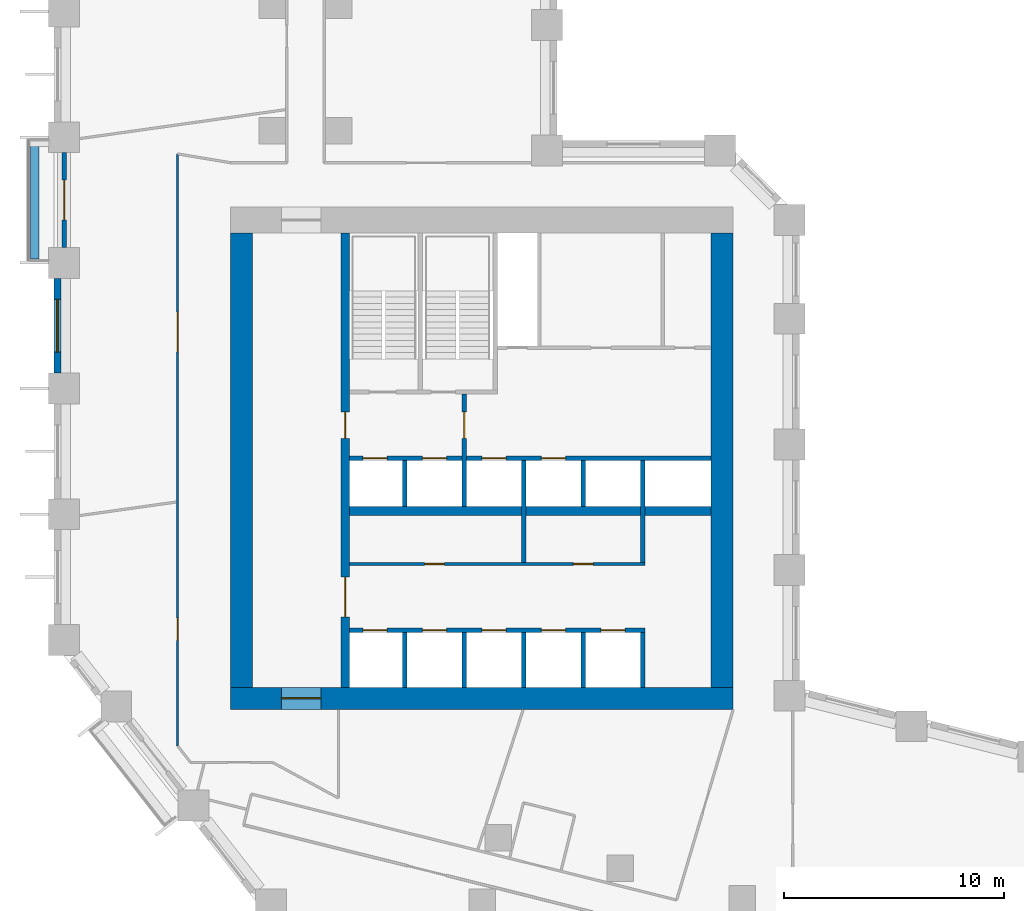
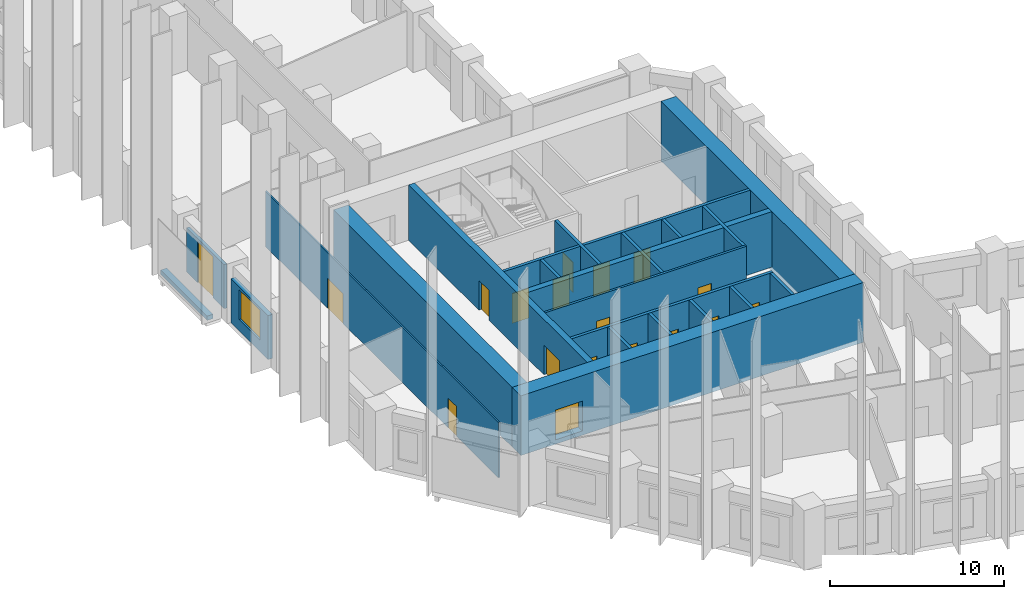
# One storey, part 5 of 12: 22 walls, 18 doors, 1 window, 19 openings.
"""IFC4 building model written with IfcOpenShell, lengths in metres."""

from ifc_helpers import new_model, si_unit, direction, frame, frame_2d, origin, place, context, subcontext, project, spatial, rectangle, extrude, material, layer, layer_set, type_object, element, fill, save


model = new_model("IFC4")

# Units and contexts
model_context = context("Model", 3, precision=1e-05, world=origin(), true_north=direction((0.0, 1.0)))
body_context = subcontext(model_context, "Body", "Model", "MODEL_VIEW")
ifc_project = project(units=[si_unit("LENGTHUNIT", "METRE"), si_unit("AREAUNIT", "SQUARE_METRE"), si_unit("VOLUMEUNIT", "CUBIC_METRE"), si_unit("PLANEANGLEUNIT", "RADIAN"), si_unit("MASSUNIT", "GRAM", prefix="KILO")], contexts=[model_context])

# Site, building, storey
site_placement = place(None, origin())
site = spatial("IfcSite", under=ifc_project, at=site_placement, CompositionType="ELEMENT")
building_placement = place(site_placement, origin())
building = spatial("IfcBuilding", under=site, at=building_placement, Name="Meshkara Civic Tower", CompositionType="ELEMENT")
storey_placement = place(building_placement, frame((0.0, 0.0, 66.60009765625)))
storey = spatial("IfcBuildingStorey", under=building, at=storey_placement, Name="L14", CompositionType="ELEMENT", Elevation=66.60009765625)

# Wall, openings, doors
ifc_material_1 = material(Name="Blockwork", Category="masonry")
ifc_layer_1 = layer(ifc_material_1, 0.14990234375)
ifc_layer_set_1 = layer_set([ifc_layer_1], Name="Core partition 150")
wall_type_1 = type_object("IfcWallType", Name="Core partition 150", PredefinedType="PARTITIONING", material=ifc_layer_set_1)
wall_1_placement = place(storey_placement, frame((13.39990234375, 20.699951171875, 0.0), z_axis=(0.0, 0.0, 1.0), x_axis=(1.0, 0.0, 0.0)))
wall_1 = element("IfcWall", 1, at=wall_1_placement, inside=storey, type_object=wall_type_1, Name="L14-C006", PredefinedType="PARTITIONING", context=body_context, shape_type="SweptSolid", body=[
    extrude(rectangle(XDim=13.400146484375, YDim=0.14990234375, at=frame_2d((6.7001953125, 0.0))), origin(), (0.0, 0.0, 1.0), 3.89990234375),
])
opening_1_placement = place(wall_1_placement, frame((3.39990234375, 0.0, 0.0)))
opening_1 = element("IfcOpeningElement", 2, at=opening_1_placement, cuts=wall_1, Name="Opening L14-K010", PredefinedType="OPENING", context=body_context, shape_type="SweptSolid", body=[
    extrude(rectangle(XDim=0.89990234375, YDim=2.10009765625, at=frame_2d((0.449951171875, 1.050048828125))), frame((0.0, 0.0849609375, 0.0), z_axis=(0.0, -1.0, 0.0), x_axis=(1.0, 0.0, 0.0)), (0.0, 0.0, 1.0), 0.169921875),
])
opening_2_placement = place(wall_1_placement, frame((10.14990234375, 0.0, 0.0)))
opening_2 = element("IfcOpeningElement", 3, at=opening_2_placement, cuts=wall_1, Name="Opening L14-K011", PredefinedType="OPENING", context=body_context, shape_type="SweptSolid", body=[
    extrude(rectangle(XDim=0.89990234375, YDim=2.10009765625, at=frame_2d((0.449951171875, 1.050048828125))), frame((0.0, 0.0849609375, 0.0), z_axis=(0.0, -1.0, 0.0), x_axis=(1.0, 0.0, 0.0)), (0.0, 0.0, 1.0), 0.169921875),
])
ifc_material_2 = material(Name="Timber door leaf in steel frame", Category="steel")
door_type_1 = type_object("IfcDoorType", Name="Core room door 900", OperationType="SINGLE_SWING_LEFT", PredefinedType="DOOR", material=ifc_material_2)
door_1_placement = place(opening_1_placement, origin())
door_1 = element("IfcDoor", 4, at=door_1_placement, inside=storey, type_object=door_type_1, Name="L14-K010", OperationType="SINGLE_SWING_RIGHT", OverallHeight=2.10009765625, OverallWidth=0.89990234375, PredefinedType="DOOR", context=body_context, shape_type="SweptSolid", body=[
    extrude(rectangle(XDim=0.89990234375, YDim=2.10009765625, at=frame_2d((0.449951171875, 1.050048828125))), frame((0.0, 0.02490234375, 0.0), z_axis=(0.0, -1.0, 0.0), x_axis=(1.0, 0.0, 0.0)), (0.0, 0.0, 1.0), 0.050048828125),
])
fill(opening_1, door_1)
door_2_placement = place(opening_2_placement, origin())
door_2 = element("IfcDoor", 5, at=door_2_placement, inside=storey, type_object=door_type_1, Name="L14-K011", OperationType="SINGLE_SWING_RIGHT", OverallHeight=2.10009765625, OverallWidth=0.89990234375, PredefinedType="DOOR", context=body_context, shape_type="SweptSolid", body=[
    extrude(rectangle(XDim=0.89990234375, YDim=2.10009765625, at=frame_2d((0.449951171875, 1.050048828125))), frame((0.0, 0.02490234375, 0.0), z_axis=(0.0, -1.0, 0.0), x_axis=(1.0, 0.0, 0.0)), (0.0, 0.0, 1.0), 0.050048828125),
])
fill(opening_2, door_2)

# Wall, opening, door
ifc_material_3 = material(Name="Concrete C80", Category="concrete")
ifc_layer_2 = layer(ifc_material_3, 1.0)
ifc_layer_set_2 = layer_set([ifc_layer_2], Name="Core ring wall 1000 C80")
wall_type_2 = type_object("IfcWallType", Name="Core ring wall 1000 C80", PredefinedType="SHEAR", material=ifc_layer_set_2)
wall_2_placement = place(storey_placement, frame((8.0, 14.60009765625, -0.300048828125), z_axis=(0.0, 0.0, 1.0), x_axis=(1.0, 0.0, 0.0)))
wall_2 = element("IfcWall", 6, at=wall_2_placement, inside=storey, type_object=wall_type_2, Name="L14-C001", PredefinedType="SHEAR", context=body_context, shape_type="SweptSolid", body=[
    extrude(rectangle(XDim=22.800048828125, YDim=1.0, at=frame_2d((11.39990234375, 0.0))), origin(), (0.0, 0.0, 1.0), 4.199951171875),
])
opening_3_placement = place(wall_2_placement, frame((2.300048828125, 0.0, 0.300048828125)))
opening_3 = element("IfcOpeningElement", 7, at=opening_3_placement, cuts=wall_2, Name="Opening L14-K021", PredefinedType="OPENING", context=body_context, shape_type="SweptSolid", body=[
    extrude(rectangle(XDim=1.800048828125, YDim=2.10009765625, at=frame_2d((0.89990234375, 1.050048828125))), frame((0.0, 0.510009765625, 0.0), z_axis=(0.0, -1.0, 0.0), x_axis=(1.0, 0.0, 0.0)), (0.0, 0.0, 1.0), 1.02001953125),
])
ifc_material_4 = material(Name="Fire-rated door leaf in steel frame", Category="steel")
door_type_2 = type_object("IfcDoorType", Name="Core double door 1800 EI 60", OperationType="DOUBLE_DOOR_SINGLE_SWING", PredefinedType="DOOR", material=ifc_material_4)
door_3_placement = place(opening_3_placement, origin())
door_3 = element("IfcDoor", 8, at=door_3_placement, inside=storey, type_object=door_type_2, Name="L14-K021", OperationType="DOUBLE_DOOR_SINGLE_SWING", OverallHeight=2.10009765625, OverallWidth=1.800048828125, PredefinedType="DOOR", context=body_context, shape_type="SweptSolid", body=[
    extrude(rectangle(XDim=1.800048828125, YDim=2.10009765625, at=frame_2d((0.89990234375, 1.050048828125))), frame((0.0, 0.02490234375, 0.0), z_axis=(0.0, -1.0, 0.0), x_axis=(1.0, 0.0, 0.0)), (0.0, 0.0, 1.0), 0.050048828125),
])
fill(opening_3, door_3)

# Walls
for number, where, z_axis, x_axis, name in (
    (9, (8.5, 15.10009765625, -0.300048828125), (0.0, 0.0, 1.0), (0.0, 1.0, 0.0), "L14-C003"),
    (10, (30.300048828125, 15.10009765625, -0.300048828125), (0.0, 0.0, 1.0), (0.0, 1.0, 0.0), "L14-C004"),
):
    element("IfcWall", number, at=place(storey_placement, frame(where, z_axis=z_axis, x_axis=x_axis)), inside=storey, type_object=wall_type_2, Name=name, PredefinedType="SHEAR", context=body_context, shape_type="SweptSolid", body=[
        extrude(rectangle(XDim=20.599853515625, YDim=1.0, at=frame_2d((10.2998046875, 0.0))), origin(), (0.0, 0.0, 1.0), 4.199951171875),
    ])
ifc_material_5 = material(Name="Concrete C80", Category="concrete")
ifc_layer_3 = layer(ifc_material_5, 0.39990234375)
ifc_layer_set_3 = layer_set([ifc_layer_3], Name="Core shear wall 400 C80")
wall_type_3 = type_object("IfcWallType", Name="Core shear wall 400 C80", PredefinedType="SHEAR", material=ifc_layer_set_3)
wall_3_placement = place(storey_placement, frame((13.39990234375, 23.10009765625, 0.0), z_axis=(0.0, 0.0, 1.0), x_axis=(1.0, 0.0, 0.0)))
element("IfcWall", 11, at=wall_3_placement, inside=storey, type_object=wall_type_3, Name="L14-C007", PredefinedType="SHEAR", context=body_context, shape_type="SweptSolid", body=[
    extrude(rectangle(XDim=16.400146484375, YDim=0.39990234375, at=frame_2d((8.2001953125, 0.0))), origin(), (0.0, 0.0, 1.0), 3.89990234375),
])

# Wall, openings, doors
wall_4_placement = place(storey_placement, frame((13.199951171875, 15.10009765625, 0.0), z_axis=(0.0, 0.0, 1.0), x_axis=(0.0, 1.0, 0.0)))
wall_4 = element("IfcWall", 12, at=wall_4_placement, inside=storey, type_object=wall_type_3, Name="L14-C011", PredefinedType="SHEAR", context=body_context, shape_type="SweptSolid", body=[
    extrude(rectangle(XDim=20.599853515625, YDim=0.39990234375, at=frame_2d((10.2998046875, 0.0))), origin(), (0.0, 0.0, 1.0), 3.89990234375),
])
opening_4_placement = place(wall_4_placement, frame((3.199951171875, 0.0, 0.0)))
opening_4 = element("IfcOpeningElement", 13, at=opening_4_placement, cuts=wall_4, Name="Opening L14-K017", PredefinedType="OPENING", context=body_context, shape_type="SweptSolid", body=[
    extrude(rectangle(XDim=1.800048828125, YDim=2.10009765625, at=frame_2d((0.89990234375, 1.050048828125))), frame((0.0, 0.2099609375, 0.0), z_axis=(0.0, -1.0, 0.0), x_axis=(1.0, 0.0, 0.0)), (0.0, 0.0, 1.0), 0.419921875),
])
opening_5_placement = place(wall_4_placement, frame((11.300048828125, 0.0, 0.0)))
opening_5 = element("IfcOpeningElement", 14, at=opening_5_placement, cuts=wall_4, Name="Opening L14-K018", PredefinedType="OPENING", context=body_context, shape_type="SweptSolid", body=[
    extrude(rectangle(XDim=1.199951171875, YDim=2.10009765625, at=frame_2d((0.60009765625, 1.050048828125))), frame((0.0, 0.2099609375, 0.0), z_axis=(0.0, -1.0, 0.0), x_axis=(1.0, 0.0, 0.0)), (0.0, 0.0, 1.0), 0.419921875),
])
door_4_placement = place(opening_4_placement, origin())
door_4 = element("IfcDoor", 15, at=door_4_placement, inside=storey, type_object=door_type_2, Name="L14-K017", OperationType="DOUBLE_DOOR_SINGLE_SWING", OverallHeight=2.10009765625, OverallWidth=1.800048828125, PredefinedType="DOOR", context=body_context, shape_type="SweptSolid", body=[
    extrude(rectangle(XDim=1.800048828125, YDim=2.10009765625, at=frame_2d((0.89990234375, 1.050048828125))), frame((0.0, 0.02490234375, 0.0), z_axis=(0.0, -1.0, 0.0), x_axis=(1.0, 0.0, 0.0)), (0.0, 0.0, 1.0), 0.050048828125),
])
fill(opening_4, door_4)
ifc_material_6 = material(Name="Fire-rated door leaf in steel frame", Category="steel")
door_type_3 = type_object("IfcDoorType", Name="Fire-fighting lobby door 1200 EI 120", OperationType="SINGLE_SWING_LEFT", PredefinedType="DOOR", material=ifc_material_6)
door_5_placement = place(opening_5_placement, origin())
door_5 = element("IfcDoor", 16, at=door_5_placement, inside=storey, type_object=door_type_3, Name="L14-K018", OperationType="SINGLE_SWING_LEFT", OverallHeight=2.10009765625, OverallWidth=1.199951171875, PredefinedType="DOOR", context=body_context, shape_type="SweptSolid", body=[
    extrude(rectangle(XDim=1.199951171875, YDim=2.10009765625, at=frame_2d((0.60009765625, 1.050048828125))), frame((0.0, 0.02490234375, 0.0), z_axis=(0.0, -1.0, 0.0), x_axis=(1.0, 0.0, 0.0)), (0.0, 0.0, 1.0), 0.050048828125),
])
fill(opening_5, door_5)

ifc_material_7 = material(Name="Corridor wall 100")
ifc_layer_4 = layer(ifc_material_7, 0.10009765625)
ifc_layer_set_4 = layer_set([ifc_layer_4], Name="Corridor wall 100")
wall_type_4 = type_object("IfcWallType", Name="Corridor wall 100", PredefinedType="PARTITIONING", material=ifc_layer_set_4)
wall_5_placement = place(storey_placement, frame((5.60009765625, 39.300048828125, 0.0), z_axis=(0.0, 0.0, 1.0), x_axis=(0.0, -1.0, 0.0)))
wall_5 = element("IfcWall", 17, at=wall_5_placement, inside=storey, type_object=wall_type_4, Name="L14-W004", PredefinedType="PARTITIONING", context=body_context, shape_type="SweptSolid", body=[
    extrude(rectangle(XDim=26.85107421875, YDim=0.10009765625, at=frame_2d((13.425537109375, 0.0))), origin(), (0.0, 0.0, 1.0), 3.89990234375),
])
opening_6_placement = place(wall_5_placement, frame((21.06298828125, 0.0, 0.0)))
opening_6 = element("IfcOpeningElement", 18, at=opening_6_placement, cuts=wall_5, Name="Opening L14-D017", PredefinedType="OPENING", context=body_context, shape_type="SweptSolid", body=[
    extrude(rectangle(XDim=1.0, YDim=2.10009765625, at=frame_2d((0.5, 1.050048828125))), frame((0.0, 0.06005859375, 0.0), z_axis=(0.0, -1.0, 0.0), x_axis=(1.0, 0.0, 0.0)), (0.0, 0.0, 1.0), 0.1201171875),
])
opening_7_placement = place(wall_5_placement, frame((7.179931640625, 0.0, 0.0)))
opening_7 = element("IfcOpeningElement", 19, at=opening_7_placement, cuts=wall_5, Name="Opening L14-D018", PredefinedType="OPENING", context=body_context, shape_type="SweptSolid", body=[
    extrude(rectangle(XDim=1.800048828125, YDim=2.10009765625, at=frame_2d((0.89990234375, 1.050048828125))), frame((0.0, 0.06005859375, 0.0), z_axis=(0.0, -1.0, 0.0), x_axis=(1.0, 0.0, 0.0)), (0.0, 0.0, 1.0), 0.1201171875),
])
ifc_material_8 = material(Name="Door 1000 x 2100")
door_type_4 = type_object("IfcDoorType", Name="Door 1000 x 2100", OperationType="SINGLE_SWING_LEFT", PredefinedType="DOOR", material=ifc_material_8)
door_6_placement = place(opening_6_placement, origin())
door_6 = element("IfcDoor", 20, at=door_6_placement, inside=storey, type_object=door_type_4, Name="L14-D017", OperationType="SINGLE_SWING_LEFT", OverallHeight=2.10009765625, OverallWidth=1.0, PredefinedType="DOOR", context=body_context, shape_type="SweptSolid", body=[
    extrude(rectangle(XDim=1.0, YDim=2.10009765625, at=frame_2d((0.5, 1.050048828125))), frame((0.0, 0.02490234375, 0.0), z_axis=(0.0, -1.0, 0.0), x_axis=(1.0, 0.0, 0.0)), (0.0, 0.0, 1.0), 0.050048828125),
])
fill(opening_6, door_6)
ifc_material_9 = material(Name="Door pair 1800 x 2100")
door_type_5 = type_object("IfcDoorType", Name="Door pair 1800 x 2100", OperationType="SINGLE_SWING_LEFT", PredefinedType="DOOR", material=ifc_material_9)
door_7_placement = place(opening_7_placement, origin())
door_7 = element("IfcDoor", 21, at=door_7_placement, inside=storey, type_object=door_type_5, Name="L14-D018", OperationType="DOUBLE_DOOR_SINGLE_SWING", OverallHeight=2.10009765625, OverallWidth=1.800048828125, PredefinedType="DOOR", context=body_context, shape_type="SweptSolid", body=[
    extrude(rectangle(XDim=1.800048828125, YDim=2.10009765625, at=frame_2d((0.89990234375, 1.050048828125))), frame((0.0, 0.02490234375, 0.0), z_axis=(0.0, -1.0, 0.0), x_axis=(1.0, 0.0, 0.0)), (0.0, 0.0, 1.0), 0.050048828125),
])
fill(opening_7, door_7)

# Wall, opening, window
ifc_material_10 = material(Name="Insulated infill panel with bronze anodised aluminium cladding", Category="aluminium")
ifc_layer_5 = layer(ifc_material_10, 0.300048828125)
ifc_layer_set_5 = layer_set([ifc_layer_5], Name="EXTERNAL INFILL WALL 300")
wall_type_5 = type_object("IfcWallType", Name="EXTERNAL INFILL WALL 300", PredefinedType="SOLIDWALL", material=ifc_layer_set_5)
wall_6_placement = place(storey_placement, frame((0.14990234375, 33.655029296875, 0.0), z_axis=(0.0, 0.0, 1.0), x_axis=(0.0, -1.0, 0.0)))
wall_6 = element("IfcWall", 22, at=wall_6_placement, inside=storey, type_object=wall_type_5, Name="External wall", PredefinedType="SOLIDWALL", context=body_context, shape_type="SweptSolid", body=[
    extrude(rectangle(XDim=4.300048828125, YDim=0.300048828125, at=frame_2d((2.14990234375, 0.0))), origin(), (0.0, 0.0, 1.0), 3.099853515625),
])
opening_8_placement = place(wall_6_placement, frame((0.949951171875, 0.0, 0.800048828125)))
opening_8 = element("IfcOpeningElement", 23, at=opening_8_placement, cuts=wall_6, Name="Opening W7", PredefinedType="OPENING", context=body_context, shape_type="SweptSolid", body=[
    extrude(rectangle(XDim=2.39990234375, YDim=2.10009765625, at=frame_2d((1.199951171875, 1.050048828125))), frame((0.0, 0.159912109375, 0.0), z_axis=(0.0, -1.0, 0.0), x_axis=(1.0, 0.0, 0.0)), (0.0, 0.0, 1.0), 0.320068359375),
])
ifc_material_11 = material(Name="Tinted double glazing", Category="glass")
window_type = type_object("IfcWindowType", Name="WINDOW 2400x2100", PartitioningType="DOUBLE_PANEL_VERTICAL", PredefinedType="WINDOW", material=ifc_material_11)
window_placement = place(opening_8_placement, origin())
window = element("IfcWindow", 24, at=window_placement, inside=storey, type_object=window_type, Name="Window", OverallHeight=2.10009765625, OverallWidth=2.39990234375, PartitioningType="DOUBLE_PANEL_VERTICAL", PredefinedType="WINDOW", context=body_context, shape_type="SweptSolid", body=[
    extrude(rectangle(XDim=2.39990234375, YDim=2.10009765625, at=frame_2d((1.199951171875, 1.050048828125))), frame((0.0, 0.030029296875, 0.0), z_axis=(0.0, -1.0, 0.0), x_axis=(1.0, 0.0, 0.0)), (0.0, 0.0, 1.0), 0.06005859375),
])
fill(opening_8, window)

# Wall, opening, door
ifc_material_12 = material(Name="Insulated infill panel with bronze anodised aluminium cladding", Category="aluminium")
ifc_layer_6 = layer(ifc_material_12, 0.199951171875)
ifc_layer_set_6 = layer_set([ifc_layer_6], Name="LOGGIA BACK WALL 200")
wall_type_6 = type_object("IfcWallType", Name="LOGGIA BACK WALL 200", PredefinedType="SOLIDWALL", material=ifc_layer_set_6)
wall_7_placement = place(storey_placement, frame((0.449951171875, 39.35400390625, 0.0), z_axis=(0.0, 0.0, 1.0), x_axis=(0.0, -1.0, 0.0)))
wall_7 = element("IfcWall", 25, at=wall_7_placement, inside=storey, type_object=wall_type_6, Name="Loggia wall", PredefinedType="SOLIDWALL", context=body_context, shape_type="SweptSolid", body=[
    extrude(rectangle(XDim=4.298095703125, YDim=0.199951171875, at=frame_2d((2.14892578125, 0.0))), origin(), (0.0, 0.0, 1.0), 3.099853515625),
])
opening_9_placement = place(wall_7_placement, frame((1.2490234375, 0.0, 0.0)))
opening_9 = element("IfcOpeningElement", 26, at=opening_9_placement, cuts=wall_7, Name="Opening L14-L002", PredefinedType="OPENING", context=body_context, shape_type="SweptSolid", body=[
    extrude(rectangle(XDim=1.800048828125, YDim=2.89990234375, at=frame_2d((0.89990234375, 1.449951171875))), frame((0.0, 0.10986328125, 0.0), z_axis=(0.0, -1.0, 0.0), x_axis=(1.0, 0.0, 0.0)), (0.0, 0.0, 1.0), 0.219970703125),
])
ifc_material_13 = material(Name="Tinted double glazing", Category="glass")
door_type_6 = type_object("IfcDoorType", Name="LOGGIA DOOR 1800x2900", OperationType="DOUBLE_DOOR_SINGLE_SWING", PredefinedType="DOOR", material=ifc_material_13)
door_8_placement = place(opening_9_placement, origin())
door_8 = element("IfcDoor", 27, at=door_8_placement, inside=storey, type_object=door_type_6, Name="L14-L002", OperationType="DOUBLE_DOOR_SINGLE_SWING", OverallHeight=2.89990234375, OverallWidth=1.800048828125, PredefinedType="DOOR", context=body_context, shape_type="SweptSolid", body=[
    extrude(rectangle(XDim=1.800048828125, YDim=2.89990234375, at=frame_2d((0.89990234375, 1.449951171875))), frame((0.0, 0.02490234375, 0.0), z_axis=(0.0, -1.0, 0.0), x_axis=(1.0, 0.0, 0.0)), (0.0, 0.0, 1.0), 0.050048828125),
])
fill(opening_9, door_8)

# Wall
ifc_material_14 = material(Name="Concrete C40", Category="concrete")
ifc_layer_7 = layer(ifc_material_14, 0.39990234375)
ifc_layer_set_7 = layer_set([ifc_layer_7], Name="PLANTER TRAY")
wall_type_7 = type_object("IfcWallType", Name="PLANTER TRAY", PredefinedType="SOLIDWALL", material=ifc_layer_set_7)
wall_8_placement = place(storey_placement, frame((-0.8798828125, 39.885009765625, 0.0), z_axis=(0.0, 0.0, 1.0), x_axis=(0.0, -1.0, 0.0)))
element("IfcWall", 28, at=wall_8_placement, inside=storey, type_object=wall_type_7, Name="Planter", PredefinedType="SOLIDWALL", context=body_context, shape_type="SweptSolid", body=[
    extrude(rectangle(XDim=5.360107421875, YDim=0.39990234375, at=frame_2d((2.68017578125, 0.0))), origin(), (0.0, 0.0, 1.0), 0.2998046875),
])

# Wall, openings, doors
ifc_material_15 = material(Name="Concrete C40/50", Category="concrete")
ifc_layer_8 = layer(ifc_material_15, 0.199951171875)
ifc_layer_set_8 = layer_set([ifc_layer_8], Name="Shaft wall 200 C40/50")
wall_type_8 = type_object("IfcWallType", Name="Shaft wall 200 C40/50", PredefinedType="SOLIDWALL", material=ifc_layer_set_8)
wall_9_placement = place(storey_placement, frame((13.39990234375, 17.699951171875, 0.0), z_axis=(0.0, 0.0, 1.0), x_axis=(1.0, 0.0, 0.0)))
wall_9 = element("IfcWall", 29, at=wall_9_placement, inside=storey, type_object=wall_type_8, Name="L14-C005", PredefinedType="SOLIDWALL", context=body_context, shape_type="SweptSolid", body=[
    extrude(rectangle(XDim=13.400146484375, YDim=0.199951171875, at=frame_2d((6.7001953125, 0.0))), origin(), (0.0, 0.0, 1.0), 3.89990234375),
])
opening_10_placement = place(wall_9_placement, frame((0.60009765625, 0.0, 0.0)))
opening_10 = element("IfcOpeningElement", 30, at=opening_10_placement, cuts=wall_9, Name="Opening L14-K001", PredefinedType="OPENING", context=body_context, shape_type="SweptSolid", body=[
    extrude(rectangle(XDim=1.10009765625, YDim=2.10009765625, at=frame_2d((0.550048828125, 1.050048828125))), frame((0.0, 0.10986328125, 0.0), z_axis=(0.0, -1.0, 0.0), x_axis=(1.0, 0.0, 0.0)), (0.0, 0.0, 1.0), 0.219970703125),
])
opening_11_placement = place(wall_9_placement, frame((3.300048828125, 0.0, 0.0)))
opening_11 = element("IfcOpeningElement", 31, at=opening_11_placement, cuts=wall_9, Name="Opening L14-K002", PredefinedType="OPENING", context=body_context, shape_type="SweptSolid", body=[
    extrude(rectangle(XDim=1.10009765625, YDim=2.10009765625, at=frame_2d((0.550048828125, 1.050048828125))), frame((0.0, 0.10986328125, 0.0), z_axis=(0.0, -1.0, 0.0), x_axis=(1.0, 0.0, 0.0)), (0.0, 0.0, 1.0), 0.219970703125),
])
opening_12_placement = place(wall_9_placement, frame((6.0, 0.0, 0.0)))
opening_12 = element("IfcOpeningElement", 32, at=opening_12_placement, cuts=wall_9, Name="Opening L14-K003", PredefinedType="OPENING", context=body_context, shape_type="SweptSolid", body=[
    extrude(rectangle(XDim=1.10009765625, YDim=2.10009765625, at=frame_2d((0.550048828125, 1.050048828125))), frame((0.0, 0.10986328125, 0.0), z_axis=(0.0, -1.0, 0.0), x_axis=(1.0, 0.0, 0.0)), (0.0, 0.0, 1.0), 0.219970703125),
])
opening_13_placement = place(wall_9_placement, frame((8.699951171875, 0.0, 0.0)))
opening_13 = element("IfcOpeningElement", 33, at=opening_13_placement, cuts=wall_9, Name="Opening L14-K004", PredefinedType="OPENING", context=body_context, shape_type="SweptSolid", body=[
    extrude(rectangle(XDim=1.10009765625, YDim=2.10009765625, at=frame_2d((0.550048828125, 1.050048828125))), frame((0.0, 0.10986328125, 0.0), z_axis=(0.0, -1.0, 0.0), x_axis=(1.0, 0.0, 0.0)), (0.0, 0.0, 1.0), 0.219970703125),
])
opening_14_placement = place(wall_9_placement, frame((11.39990234375, 0.0, 0.0)))
opening_14 = element("IfcOpeningElement", 34, at=opening_14_placement, cuts=wall_9, Name="Opening L14-K005", PredefinedType="OPENING", context=body_context, shape_type="SweptSolid", body=[
    extrude(rectangle(XDim=1.10009765625, YDim=2.10009765625, at=frame_2d((0.550048828125, 1.050048828125))), frame((0.0, 0.10986328125, 0.0), z_axis=(0.0, -1.0, 0.0), x_axis=(1.0, 0.0, 0.0)), (0.0, 0.0, 1.0), 0.219970703125),
])
ifc_material_16 = material(Name="Stainless steel landing door", Category="steel")
door_type_7 = type_object("IfcDoorType", Name="Lift landing door 1100", OperationType="SLIDING_TO_LEFT", PredefinedType="DOOR", material=ifc_material_16)
door_9_placement = place(opening_10_placement, origin())
door_9 = element("IfcDoor", 35, at=door_9_placement, inside=storey, type_object=door_type_7, Name="L14-K001", OperationType="SLIDING_TO_LEFT", OverallHeight=2.10009765625, OverallWidth=1.10009765625, PredefinedType="DOOR", context=body_context, shape_type="SweptSolid", body=[
    extrude(rectangle(XDim=1.10009765625, YDim=2.10009765625, at=frame_2d((0.550048828125, 1.050048828125))), frame((0.0, 0.02490234375, 0.0), z_axis=(0.0, -1.0, 0.0), x_axis=(1.0, 0.0, 0.0)), (0.0, 0.0, 1.0), 0.050048828125),
])
fill(opening_10, door_9)
door_10_placement = place(opening_11_placement, origin())
door_10 = element("IfcDoor", 36, at=door_10_placement, inside=storey, type_object=door_type_7, Name="L14-K002", OperationType="SLIDING_TO_LEFT", OverallHeight=2.10009765625, OverallWidth=1.10009765625, PredefinedType="DOOR", context=body_context, shape_type="SweptSolid", body=[
    extrude(rectangle(XDim=1.10009765625, YDim=2.10009765625, at=frame_2d((0.550048828125, 1.050048828125))), frame((0.0, 0.02490234375, 0.0), z_axis=(0.0, -1.0, 0.0), x_axis=(1.0, 0.0, 0.0)), (0.0, 0.0, 1.0), 0.050048828125),
])
fill(opening_11, door_10)
door_11_placement = place(opening_12_placement, origin())
door_11 = element("IfcDoor", 37, at=door_11_placement, inside=storey, type_object=door_type_7, Name="L14-K003", OperationType="SLIDING_TO_LEFT", OverallHeight=2.10009765625, OverallWidth=1.10009765625, PredefinedType="DOOR", context=body_context, shape_type="SweptSolid", body=[
    extrude(rectangle(XDim=1.10009765625, YDim=2.10009765625, at=frame_2d((0.550048828125, 1.050048828125))), frame((0.0, 0.02490234375, 0.0), z_axis=(0.0, -1.0, 0.0), x_axis=(1.0, 0.0, 0.0)), (0.0, 0.0, 1.0), 0.050048828125),
])
fill(opening_12, door_11)
door_12_placement = place(opening_13_placement, origin())
door_12 = element("IfcDoor", 38, at=door_12_placement, inside=storey, type_object=door_type_7, Name="L14-K004", OperationType="SLIDING_TO_LEFT", OverallHeight=2.10009765625, OverallWidth=1.10009765625, PredefinedType="DOOR", context=body_context, shape_type="SweptSolid", body=[
    extrude(rectangle(XDim=1.10009765625, YDim=2.10009765625, at=frame_2d((0.550048828125, 1.050048828125))), frame((0.0, 0.02490234375, 0.0), z_axis=(0.0, -1.0, 0.0), x_axis=(1.0, 0.0, 0.0)), (0.0, 0.0, 1.0), 0.050048828125),
])
fill(opening_13, door_12)
door_13_placement = place(opening_14_placement, origin())
door_13 = element("IfcDoor", 39, at=door_13_placement, inside=storey, type_object=door_type_7, Name="L14-K005", OperationType="SLIDING_TO_LEFT", OverallHeight=2.10009765625, OverallWidth=1.10009765625, PredefinedType="DOOR", context=body_context, shape_type="SweptSolid", body=[
    extrude(rectangle(XDim=1.10009765625, YDim=2.10009765625, at=frame_2d((0.550048828125, 1.050048828125))), frame((0.0, 0.02490234375, 0.0), z_axis=(0.0, -1.0, 0.0), x_axis=(1.0, 0.0, 0.0)), (0.0, 0.0, 1.0), 0.050048828125),
])
fill(opening_14, door_13)

wall_10_placement = place(storey_placement, frame((13.39990234375, 25.5, 0.0), z_axis=(0.0, 0.0, 1.0), x_axis=(1.0, 0.0, 0.0)))
wall_10 = element("IfcWall", 40, at=wall_10_placement, inside=storey, type_object=wall_type_8, Name="L14-C008", PredefinedType="SOLIDWALL", context=body_context, shape_type="SweptSolid", body=[
    extrude(rectangle(XDim=16.400146484375, YDim=0.199951171875, at=frame_2d((8.2001953125, 0.0))), origin(), (0.0, 0.0, 1.0), 3.89990234375),
])
opening_15_placement = place(wall_10_placement, frame((0.60009765625, 0.0, 0.0)))
opening_15 = element("IfcOpeningElement", 41, at=opening_15_placement, cuts=wall_10, Name="Opening L14-K006", PredefinedType="OPENING", context=body_context, shape_type="SweptSolid", body=[
    extrude(rectangle(XDim=1.10009765625, YDim=2.10009765625, at=frame_2d((0.550048828125, 1.050048828125))), frame((0.0, 0.10986328125, 0.0), z_axis=(0.0, -1.0, 0.0), x_axis=(1.0, 0.0, 0.0)), (0.0, 0.0, 1.0), 0.219970703125),
])
opening_16_placement = place(wall_10_placement, frame((3.300048828125, 0.0, 0.0)))
opening_16 = element("IfcOpeningElement", 42, at=opening_16_placement, cuts=wall_10, Name="Opening L14-K007", PredefinedType="OPENING", context=body_context, shape_type="SweptSolid", body=[
    extrude(rectangle(XDim=1.10009765625, YDim=2.10009765625, at=frame_2d((0.550048828125, 1.050048828125))), frame((0.0, 0.10986328125, 0.0), z_axis=(0.0, -1.0, 0.0), x_axis=(1.0, 0.0, 0.0)), (0.0, 0.0, 1.0), 0.219970703125),
])
opening_17_placement = place(wall_10_placement, frame((6.0, 0.0, 0.0)))
opening_17 = element("IfcOpeningElement", 43, at=opening_17_placement, cuts=wall_10, Name="Opening L14-K008", PredefinedType="OPENING", context=body_context, shape_type="SweptSolid", body=[
    extrude(rectangle(XDim=1.10009765625, YDim=2.10009765625, at=frame_2d((0.550048828125, 1.050048828125))), frame((0.0, 0.10986328125, 0.0), z_axis=(0.0, -1.0, 0.0), x_axis=(1.0, 0.0, 0.0)), (0.0, 0.0, 1.0), 0.219970703125),
])
opening_18_placement = place(wall_10_placement, frame((8.699951171875, 0.0, 0.0)))
opening_18 = element("IfcOpeningElement", 44, at=opening_18_placement, cuts=wall_10, Name="Opening L14-K009", PredefinedType="OPENING", context=body_context, shape_type="SweptSolid", body=[
    extrude(rectangle(XDim=1.10009765625, YDim=2.10009765625, at=frame_2d((0.550048828125, 1.050048828125))), frame((0.0, 0.10986328125, 0.0), z_axis=(0.0, -1.0, 0.0), x_axis=(1.0, 0.0, 0.0)), (0.0, 0.0, 1.0), 0.219970703125),
])
door_14_placement = place(opening_15_placement, origin())
door_14 = element("IfcDoor", 45, at=door_14_placement, inside=storey, type_object=door_type_7, Name="L14-K006", OperationType="SLIDING_TO_LEFT", OverallHeight=2.10009765625, OverallWidth=1.10009765625, PredefinedType="DOOR", context=body_context, shape_type="SweptSolid", body=[
    extrude(rectangle(XDim=1.10009765625, YDim=2.10009765625, at=frame_2d((0.550048828125, 1.050048828125))), frame((0.0, 0.02490234375, 0.0), z_axis=(0.0, -1.0, 0.0), x_axis=(1.0, 0.0, 0.0)), (0.0, 0.0, 1.0), 0.050048828125),
])
fill(opening_15, door_14)
door_15_placement = place(opening_16_placement, origin())
door_15 = element("IfcDoor", 46, at=door_15_placement, inside=storey, type_object=door_type_7, Name="L14-K007", OperationType="SLIDING_TO_LEFT", OverallHeight=2.10009765625, OverallWidth=1.10009765625, PredefinedType="DOOR", context=body_context, shape_type="SweptSolid", body=[
    extrude(rectangle(XDim=1.10009765625, YDim=2.10009765625, at=frame_2d((0.550048828125, 1.050048828125))), frame((0.0, 0.02490234375, 0.0), z_axis=(0.0, -1.0, 0.0), x_axis=(1.0, 0.0, 0.0)), (0.0, 0.0, 1.0), 0.050048828125),
])
fill(opening_16, door_15)
door_16_placement = place(opening_17_placement, origin())
door_16 = element("IfcDoor", 47, at=door_16_placement, inside=storey, type_object=door_type_7, Name="L14-K008", OperationType="SLIDING_TO_LEFT", OverallHeight=2.10009765625, OverallWidth=1.10009765625, PredefinedType="DOOR", context=body_context, shape_type="SweptSolid", body=[
    extrude(rectangle(XDim=1.10009765625, YDim=2.10009765625, at=frame_2d((0.550048828125, 1.050048828125))), frame((0.0, 0.02490234375, 0.0), z_axis=(0.0, -1.0, 0.0), x_axis=(1.0, 0.0, 0.0)), (0.0, 0.0, 1.0), 0.050048828125),
])
fill(opening_17, door_16)
door_17_placement = place(opening_18_placement, origin())
door_17 = element("IfcDoor", 48, at=door_17_placement, inside=storey, type_object=door_type_7, Name="L14-K009", OperationType="SLIDING_TO_LEFT", OverallHeight=2.10009765625, OverallWidth=1.10009765625, PredefinedType="DOOR", context=body_context, shape_type="SweptSolid", body=[
    extrude(rectangle(XDim=1.10009765625, YDim=2.10009765625, at=frame_2d((0.550048828125, 1.050048828125))), frame((0.0, 0.02490234375, 0.0), z_axis=(0.0, -1.0, 0.0), x_axis=(1.0, 0.0, 0.0)), (0.0, 0.0, 1.0), 0.050048828125),
])
fill(opening_18, door_17)

# Walls
wall_11_placement = place(storey_placement, frame((15.89990234375, 15.10009765625, 0.0), z_axis=(0.0, 0.0, 1.0), x_axis=(0.0, 1.0, 0.0)))
element("IfcWall", 49, at=wall_11_placement, inside=storey, type_object=wall_type_8, Name="L14-C012", PredefinedType="SOLIDWALL", context=body_context, shape_type="SweptSolid", body=[
    extrude(rectangle(XDim=2.5, YDim=0.199951171875, at=frame_2d((1.25, 0.0))), origin(), (0.0, 0.0, 1.0), 3.89990234375),
])
wall_12_placement = place(storey_placement, frame((15.89990234375, 23.300048828125, 0.0), z_axis=(0.0, 0.0, 1.0), x_axis=(0.0, 1.0, 0.0)))
element("IfcWall", 50, at=wall_12_placement, inside=storey, type_object=wall_type_8, Name="L14-C013", PredefinedType="SOLIDWALL", context=body_context, shape_type="SweptSolid", body=[
    extrude(rectangle(XDim=2.099853515625, YDim=0.199951171875, at=frame_2d((1.0498046875, 0.0))), origin(), (0.0, 0.0, 1.0), 3.89990234375),
])
wall_13_placement = place(storey_placement, frame((18.60009765625, 15.10009765625, 0.0), z_axis=(0.0, 0.0, 1.0), x_axis=(0.0, 1.0, 0.0)))
element("IfcWall", 51, at=wall_13_placement, inside=storey, type_object=wall_type_8, Name="L14-C015", PredefinedType="SOLIDWALL", context=body_context, shape_type="SweptSolid", body=[
    extrude(rectangle(XDim=2.5, YDim=0.199951171875, at=frame_2d((1.25, 0.0))), origin(), (0.0, 0.0, 1.0), 3.89990234375),
])

# Wall, opening, door
wall_14_placement = place(storey_placement, frame((18.60009765625, 23.300048828125, 0.0), z_axis=(0.0, 0.0, 1.0), x_axis=(0.0, 1.0, 0.0)))
wall_14 = element("IfcWall", 52, at=wall_14_placement, inside=storey, type_object=wall_type_8, Name="L14-C016", PredefinedType="SOLIDWALL", context=body_context, shape_type="SweptSolid", body=[
    extrude(rectangle(XDim=5.099853515625, YDim=0.199951171875, at=frame_2d((2.5498046875, 0.0))), origin(), (0.0, 0.0, 1.0), 3.89990234375),
])
opening_19_placement = place(wall_14_placement, frame((3.10009765625, 0.0, 0.0)))
opening_19 = element("IfcOpeningElement", 53, at=opening_19_placement, cuts=wall_14, Name="Opening L14-K019", PredefinedType="OPENING", context=body_context, shape_type="SweptSolid", body=[
    extrude(rectangle(XDim=1.199951171875, YDim=2.10009765625, at=frame_2d((0.60009765625, 1.050048828125))), frame((0.0, 0.10986328125, 0.0), z_axis=(0.0, -1.0, 0.0), x_axis=(1.0, 0.0, 0.0)), (0.0, 0.0, 1.0), 0.219970703125),
])
door_18_placement = place(opening_19_placement, origin())
door_18 = element("IfcDoor", 54, at=door_18_placement, inside=storey, type_object=door_type_3, Name="L14-K019", OperationType="SINGLE_SWING_RIGHT", OverallHeight=2.10009765625, OverallWidth=1.199951171875, PredefinedType="DOOR", context=body_context, shape_type="SweptSolid", body=[
    extrude(rectangle(XDim=1.199951171875, YDim=2.10009765625, at=frame_2d((0.60009765625, 1.050048828125))), frame((0.0, 0.02490234375, 0.0), z_axis=(0.0, -1.0, 0.0), x_axis=(1.0, 0.0, 0.0)), (0.0, 0.0, 1.0), 0.050048828125),
])
fill(opening_19, door_18)

# Walls
wall_15_placement = place(storey_placement, frame((21.300048828125, 15.10009765625, 0.0), z_axis=(0.0, 0.0, 1.0), x_axis=(0.0, 1.0, 0.0)))
element("IfcWall", 55, at=wall_15_placement, inside=storey, type_object=wall_type_8, Name="L14-C018", PredefinedType="SOLIDWALL", context=body_context, shape_type="SweptSolid", body=[
    extrude(rectangle(XDim=2.5, YDim=0.199951171875, at=frame_2d((1.25, 0.0))), origin(), (0.0, 0.0, 1.0), 3.89990234375),
])
wall_16_placement = place(storey_placement, frame((21.300048828125, 20.77490234375, 0.0), z_axis=(0.0, 0.0, 1.0), x_axis=(0.0, 1.0, 0.0)))
element("IfcWall", 56, at=wall_16_placement, inside=storey, type_object=wall_type_8, Name="L14-C019", PredefinedType="SOLIDWALL", context=body_context, shape_type="SweptSolid", body=[
    extrude(rectangle(XDim=4.625, YDim=0.199951171875, at=frame_2d((2.3125, 0.0))), origin(), (0.0, 0.0, 1.0), 3.89990234375),
])
wall_17_placement = place(storey_placement, frame((24.0, 15.10009765625, 0.0), z_axis=(0.0, 0.0, 1.0), x_axis=(0.0, 1.0, 0.0)))
element("IfcWall", 57, at=wall_17_placement, inside=storey, type_object=wall_type_8, Name="L14-C021", PredefinedType="SOLIDWALL", context=body_context, shape_type="SweptSolid", body=[
    extrude(rectangle(XDim=2.5, YDim=0.199951171875, at=frame_2d((1.25, 0.0))), origin(), (0.0, 0.0, 1.0), 3.89990234375),
])
wall_18_placement = place(storey_placement, frame((24.0, 23.300048828125, 0.0), z_axis=(0.0, 0.0, 1.0), x_axis=(0.0, 1.0, 0.0)))
element("IfcWall", 58, at=wall_18_placement, inside=storey, type_object=wall_type_8, Name="L14-C022", PredefinedType="SOLIDWALL", context=body_context, shape_type="SweptSolid", body=[
    extrude(rectangle(XDim=2.099853515625, YDim=0.199951171875, at=frame_2d((1.0498046875, 0.0))), origin(), (0.0, 0.0, 1.0), 3.89990234375),
])
wall_19_placement = place(storey_placement, frame((26.699951171875, 15.10009765625, 0.0), z_axis=(0.0, 0.0, 1.0), x_axis=(0.0, 1.0, 0.0)))
element("IfcWall", 59, at=wall_19_placement, inside=storey, type_object=wall_type_8, Name="L14-C023", PredefinedType="SOLIDWALL", context=body_context, shape_type="SweptSolid", body=[
    extrude(rectangle(XDim=2.5, YDim=0.199951171875, at=frame_2d((1.25, 0.0))), origin(), (0.0, 0.0, 1.0), 3.89990234375),
])
wall_20_placement = place(storey_placement, frame((26.699951171875, 20.77490234375, 0.0), z_axis=(0.0, 0.0, 1.0), x_axis=(0.0, 1.0, 0.0)))
element("IfcWall", 60, at=wall_20_placement, inside=storey, type_object=wall_type_8, Name="L14-C024", PredefinedType="SOLIDWALL", context=body_context, shape_type="SweptSolid", body=[
    extrude(rectangle(XDim=4.625, YDim=0.199951171875, at=frame_2d((2.3125, 0.0))), origin(), (0.0, 0.0, 1.0), 3.89990234375),
])

save(model, "model.ifc")
